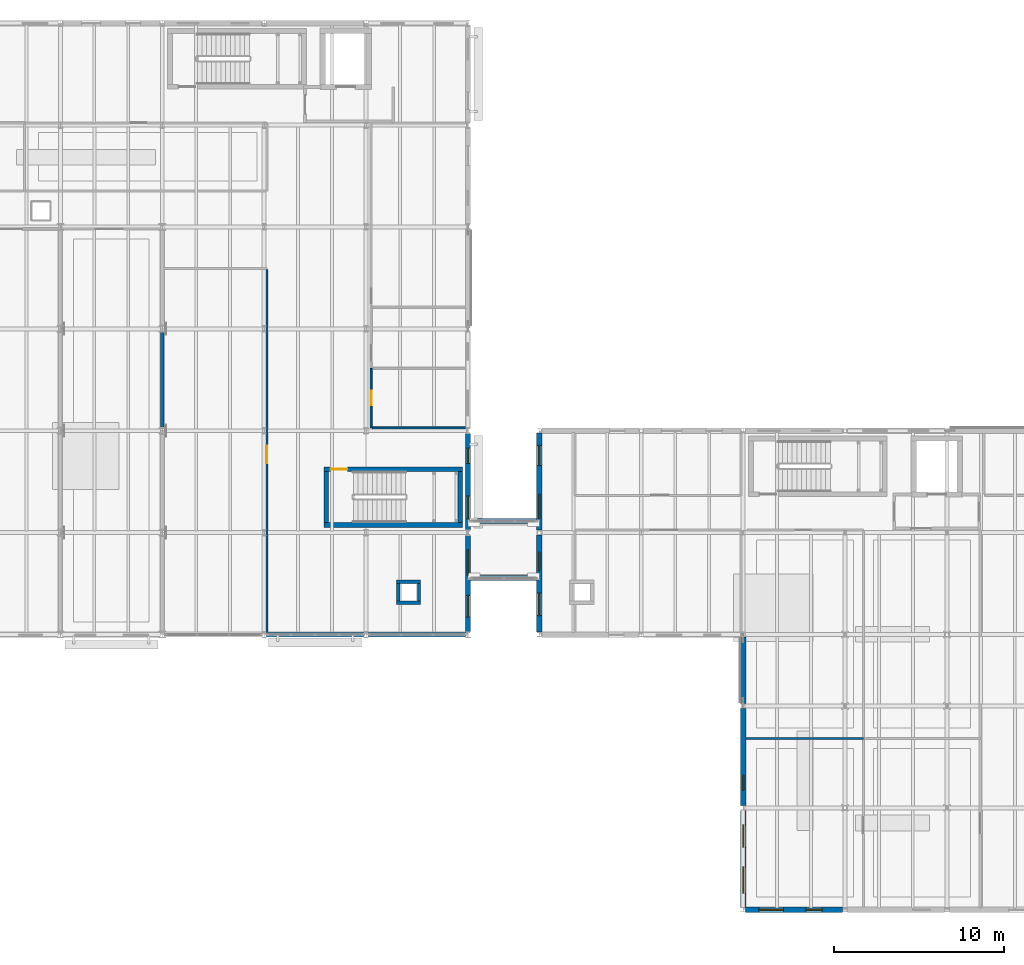
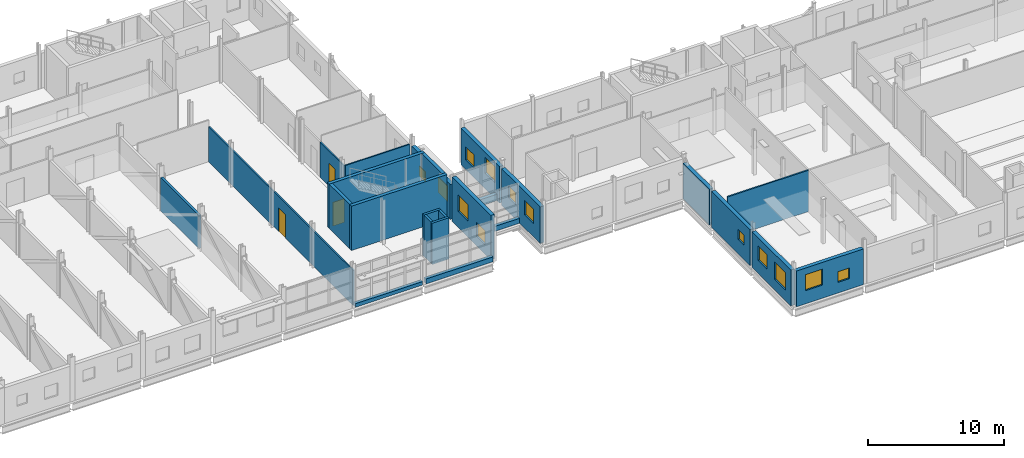
# One storey, part 68 of 92: 25 walls, 13 windows, 3 doors, 16 openings.
"""IFC4 building model written with IfcOpenShell, lengths in metres."""

from ifc_helpers import new_model, si_unit, direction, frame, frame_2d, origin, place, context, subcontext, project, spatial, rectangle, extrude, material, layer, layer_set, type_object, element, fill, save


model = new_model("IFC4")

# Units and contexts
model_context = context("Model", 3, precision=1e-05, world=origin(), true_north=direction((0.0, 1.0)))
body_context = subcontext(model_context, "Body", "Model", "MODEL_VIEW")
ifc_project = project(units=[si_unit("LENGTHUNIT", "METRE"), si_unit("AREAUNIT", "SQUARE_METRE"), si_unit("VOLUMEUNIT", "CUBIC_METRE"), si_unit("PLANEANGLEUNIT", "RADIAN"), si_unit("MASSUNIT", "GRAM", prefix="KILO")], contexts=[model_context])

# Site, building, storey
site_placement = place(None, origin())
site = spatial("IfcSite", under=ifc_project, at=site_placement, CompositionType="ELEMENT")
building_placement = place(site_placement, origin())
building = spatial("IfcBuilding", under=site, at=building_placement, Name="Siltcreek Boulevard Central Fire Station", CompositionType="ELEMENT")
storey_placement = place(building_placement, frame((0.0, 0.0, 6.0)))
storey = spatial("IfcBuildingStorey", under=building, at=storey_placement, Name="L02", CompositionType="ELEMENT", Elevation=6.0)

# Wall
ifc_material_1 = material(Name="Concrete C40/50", Category="concrete")
ifc_layer_1 = layer(ifc_material_1, 0.280029296875, Name="Concrete C40/50")
ifc_layer_set_1 = layer_set([ifc_layer_1], Name="Concrete C40/50")
wall_type_1 = type_object("IfcWallType", Name="CW_SHEAR280", PredefinedType="SHEAR", material=ifc_layer_set_1)
wall_1_placement = place(storey_placement, frame((99.52001953125, 24.4599609375, 0.0), z_axis=(0.0, 0.0, 1.0), x_axis=(1.0, 0.0, 0.0)))
element("IfcWall", 1, at=wall_1_placement, inside=storey, type_object=wall_type_1, Name="L02 ST-V2B stair enclosure south shear wall", PredefinedType="SHEAR", context=body_context, shape_type="SweptSolid", body=[
    extrude(rectangle(XDim=8.159912109375, YDim=0.280029296875, at=frame_2d((4.080078125, 0.0))), origin(), (0.0, 0.0, 1.0), 4.0),
])

# Wall, opening, door
wall_2_placement = place(storey_placement, frame((107.679931640625, 27.739990234375, 0.0), z_axis=(0.0, 0.0, 1.0), x_axis=(-1.0, 0.0, 0.0)))
wall_2 = element("IfcWall", 2, at=wall_2_placement, inside=storey, type_object=wall_type_1, Name="L02 ST-V2B stair enclosure north shear wall", PredefinedType="SHEAR", context=body_context, shape_type="SweptSolid", body=[
    extrude(rectangle(XDim=8.159912109375, YDim=0.280029296875, at=frame_2d((4.080078125, 0.0))), origin(), (0.0, 0.0, 1.0), 4.0),
])
opening_1_placement = place(wall_2_placement, frame((6.780029296875, 0.0, 0.0)))
opening_1 = element("IfcOpeningElement", 3, at=opening_1_placement, cuts=wall_2, Name="Opening SD-013", PredefinedType="OPENING", context=body_context, shape_type="SweptSolid", body=[
    extrude(rectangle(XDim=0.97998046875, YDim=2.14990234375, at=frame_2d((0.489990234375, 1.074951171875))), frame((0.0, 0.14990234375, 0.0), z_axis=(0.0, -1.0, 0.0), x_axis=(1.0, 0.0, 0.0)), (0.0, 0.0, 1.0), 0.300048828125),
])
ifc_material_2 = material(Name="Hollow metal 90-min enclosed stair door")
door_type_1 = type_object("IfcDoorType", Name="DR_ST_098X215", OperationType="NOTDEFINED", PredefinedType="DOOR", material=ifc_material_2)
door_1_placement = place(opening_1_placement, origin())
door_1 = element("IfcDoor", 4, at=door_1_placement, inside=storey, type_object=door_type_1, Name="L02 ST-V2B enclosed exit stair door SD-013", OperationType="SINGLE_SWING_RIGHT", OverallHeight=2.14990234375, OverallWidth=0.97998046875, PredefinedType="DOOR", context=body_context, shape_type="SweptSolid", body=[
    extrude(rectangle(XDim=0.97998046875, YDim=2.14990234375, at=frame_2d((0.489990234375, 1.074951171875))), frame((0.0, 0.02490234375, 0.0), z_axis=(0.0, -1.0, 0.0), x_axis=(1.0, 0.0, 0.0)), (0.0, 0.0, 1.0), 0.050048828125),
])
fill(opening_1, door_1)

# Walls
for number, where, z_axis, x_axis, name in (
    (5, (99.659912109375, 27.60009765625, 0.0), (0.0, 0.0, 1.0), (0.0, -1.0, 0.0), "L02 ST-V2B stair enclosure west shear wall"),
    (6, (107.5400390625, 24.60009765625, 0.0), (0.0, 0.0, 1.0), (0.0, 1.0, 0.0), "L02 ST-V2B stair enclosure east shear wall"),
):
    element("IfcWall", number, at=place(storey_placement, frame(where, z_axis=z_axis, x_axis=x_axis)), inside=storey, type_object=wall_type_1, Name=name, PredefinedType="SHEAR", context=body_context, shape_type="SweptSolid", body=[
        extrude(rectangle(XDim=3.0, YDim=0.280029296875, at=frame_2d((1.5, 0.0))), origin(), (0.0, 0.0, 1.0), 4.0),
    ])
ifc_material_3 = material(Name="White ribbed aluminum spandrel wall", Category="aluminium")
ifc_layer_2 = layer(ifc_material_3, 0.2900390625, Name="White ribbed aluminum spandrel wall")
ifc_layer_set_2 = layer_set([ifc_layer_2], Name="White ribbed aluminum spandrel wall")
wall_type_2 = type_object("IfcWallType", Name="EW_METAL290", PredefinedType="STANDARD", material=ifc_layer_set_2)
wall_3_placement = place(storey_placement, frame((96.14501953125, 18.0, 0.0), z_axis=(0.0, 0.0, 1.0), x_axis=(1.0, 0.0, 0.0)))
element("IfcWall", 7, at=wall_3_placement, inside=storey, type_object=wall_type_2, Name="L02 V2 curtain-wall sill spandrel 0066", PredefinedType="STANDARD", context=body_context, shape_type="SweptSolid", body=[
    extrude(rectangle(XDim=5.7099609375, YDim=0.2900390625, at=frame_2d((2.85498046875, 0.0))), origin(), (0.0, 0.0, 1.0), 0.320068359375),
])
wall_4_placement = place(storey_placement, frame((102.14501953125, 18.0, 0.0), z_axis=(0.0, 0.0, 1.0), x_axis=(1.0, 0.0, 0.0)))
element("IfcWall", 8, at=wall_4_placement, inside=storey, type_object=wall_type_2, Name="L02 V2 curtain-wall sill spandrel 0067", PredefinedType="STANDARD", context=body_context, shape_type="SweptSolid", body=[
    extrude(rectangle(XDim=5.7099609375, YDim=0.2900390625, at=frame_2d((2.85498046875, 0.0))), origin(), (0.0, 0.0, 1.0), 0.43994140625),
])
wall_5_placement = place(storey_placement, frame((108.159912109375, 21.320068359375, 0.0), z_axis=(0.0, 0.0, 1.0), x_axis=(1.0, 0.0, 0.0)))
element("IfcWall", 9, at=wall_5_placement, inside=storey, type_object=wall_type_2, Name="L02 V6 curtain-wall sill spandrel 0503", PredefinedType="STANDARD", context=body_context, shape_type="SweptSolid", body=[
    extrude(rectangle(XDim=3.880126953125, YDim=0.2900390625, at=frame_2d((1.93994140625, 0.0))), origin(), (0.0, 0.0, 1.0), 0.43994140625),
])
wall_6_placement = place(storey_placement, frame((112.0400390625, 24.679931640625, 0.0), z_axis=(0.0, 0.0, 1.0), x_axis=(-1.0, 0.0, 0.0)))
element("IfcWall", 10, at=wall_6_placement, inside=storey, type_object=wall_type_2, Name="L02 V6 curtain-wall sill spandrel 0504", PredefinedType="STANDARD", context=body_context, shape_type="SweptSolid", body=[
    extrude(rectangle(XDim=3.880126953125, YDim=0.2900390625, at=frame_2d((1.93994140625, 0.0))), origin(), (0.0, 0.0, 1.0), 0.56005859375),
])

# Wall, openings, windows
ifc_material_4 = material(Name="White ribbed aluminum insulated rainscreen panel", Category="aluminium")
ifc_layer_3 = layer(ifc_material_4, 0.320068359375, Name="White ribbed aluminum insulated rainscreen panel")
ifc_layer_set_3 = layer_set([ifc_layer_3], Name="White ribbed aluminum insulated rainscreen panel")
wall_type_3 = type_object("IfcWallType", Name="EW_METAL320", PredefinedType="STANDARD", material=ifc_layer_set_3)
wall_7_placement = place(storey_placement, frame((108.0, 18.14501953125, 0.0), z_axis=(0.0, 0.0, 1.0), x_axis=(0.0, 1.0, 0.0)))
wall_7 = element("IfcWall", 11, at=wall_7_placement, inside=storey, type_object=wall_type_3, Name="L02 V2 exterior insulated rainscreen wall WL-EXT-L02-0075", PredefinedType="STANDARD", context=body_context, shape_type="SweptSolid", body=[
    extrude(rectangle(XDim=5.7099609375, YDim=0.320068359375, at=frame_2d((2.85498046875, 0.0))), origin(), (0.0, 0.0, 1.0), 4.0),
])
opening_2_placement = place(wall_7_placement, frame((0.897216796875, 0.0, 0.860107421875)))
opening_2 = element("IfcOpeningElement", 12, at=opening_2_placement, cuts=wall_7, Name="Opening WN40", PredefinedType="OPENING", context=body_context, shape_type="SweptSolid", body=[
    extrude(rectangle(XDim=1.260009765625, YDim=1.260009765625, at=frame_2d((0.6298828125, 0.6298828125))), frame((0.0, 0.169921875, 0.0), z_axis=(0.0, -1.0, 0.0), x_axis=(1.0, 0.0, 0.0)), (0.0, 0.0, 1.0), 0.340087890625),
])
opening_3_placement = place(wall_7_placement, frame((3.357421875, 0.0, 1.419921875)))
opening_3 = element("IfcOpeningElement", 13, at=opening_3_placement, cuts=wall_7, Name="Opening WN42", PredefinedType="OPENING", context=body_context, shape_type="SweptSolid", body=[
    extrude(rectangle(XDim=1.5, YDim=1.5, at=frame_2d((0.75, 0.75))), frame((0.0, 0.169921875, 0.0), z_axis=(0.0, -1.0, 0.0), x_axis=(1.0, 0.0, 0.0)), (0.0, 0.0, 1.0), 0.340087890625),
])
ifc_material_5 = material(Name="Thermally broken aluminum frame with low-E insulated glass", Category="aluminium")
window_type_1 = type_object("IfcWindowType", Name="WN_SQ_126X126", PartitioningType="SINGLE_PANEL", PredefinedType="WINDOW", material=ifc_material_5)
window_1_placement = place(opening_2_placement, origin())
window_1 = element("IfcWindow", 14, at=window_1_placement, inside=storey, type_object=window_type_1, Name="L02 V2 square exterior window WN-0051", OverallHeight=1.260009765625, OverallWidth=1.260009765625, PartitioningType="SINGLE_PANEL", PredefinedType="WINDOW", context=body_context, shape_type="SweptSolid", body=[
    extrude(rectangle(XDim=1.260009765625, YDim=1.260009765625, at=frame_2d((0.6298828125, 0.6298828125))), frame((0.0, 0.030029296875, 0.0), z_axis=(0.0, -1.0, 0.0), x_axis=(1.0, 0.0, 0.0)), (0.0, 0.0, 1.0), 0.06005859375),
])
fill(opening_2, window_1)
window_type_2 = type_object("IfcWindowType", Name="WN_SQ_150X150", PartitioningType="SINGLE_PANEL", PredefinedType="WINDOW", material=ifc_material_5)
window_2_placement = place(opening_3_placement, origin())
window_2 = element("IfcWindow", 15, at=window_2_placement, inside=storey, type_object=window_type_2, Name="L02 V2 square exterior window WN-0052", OverallHeight=1.5, OverallWidth=1.5, PartitioningType="SINGLE_PANEL", PredefinedType="WINDOW", context=body_context, shape_type="SweptSolid", body=[
    extrude(rectangle(XDim=1.5, YDim=1.5, at=frame_2d((0.75, 0.75))), frame((0.0, 0.030029296875, 0.0), z_axis=(0.0, -1.0, 0.0), x_axis=(1.0, 0.0, 0.0)), (0.0, 0.0, 1.0), 0.06005859375),
])
fill(opening_3, window_2)

wall_8_placement = place(storey_placement, frame((108.0, 24.14501953125, 0.0), z_axis=(0.0, 0.0, 1.0), x_axis=(0.0, 1.0, 0.0)))
wall_8 = element("IfcWall", 16, at=wall_8_placement, inside=storey, type_object=wall_type_3, Name="L02 V2 exterior insulated rainscreen wall WL-EXT-L02-0076", PredefinedType="STANDARD", context=body_context, shape_type="SweptSolid", body=[
    extrude(rectangle(XDim=5.7099609375, YDim=0.320068359375, at=frame_2d((2.85498046875, 0.0))), origin(), (0.0, 0.0, 1.0), 3.156982421875),
])
opening_4_placement = place(wall_8_placement, frame((0.64892578125, 0.0, 1.179931640625)))
opening_4 = element("IfcOpeningElement", 17, at=opening_4_placement, cuts=wall_8, Name="Opening WN41", PredefinedType="OPENING", context=body_context, shape_type="SweptSolid", body=[
    extrude(rectangle(XDim=1.3798828125, YDim=1.3798828125, at=frame_2d((0.68994140625, 0.68994140625))), frame((0.0, 0.169921875, 0.0), z_axis=(0.0, -1.0, 0.0), x_axis=(1.0, 0.0, 0.0)), (0.0, 0.0, 1.0), 0.340087890625),
])
opening_5_placement = place(wall_8_placement, frame((3.93310546875, 0.0, 0.9599609375)))
opening_5 = element("IfcOpeningElement", 18, at=opening_5_placement, cuts=wall_8, Name="Opening WN37", PredefinedType="OPENING", context=body_context, shape_type="SweptSolid", body=[
    extrude(rectangle(XDim=0.89990234375, YDim=0.89990234375, at=frame_2d((0.449951171875, 0.449951171875))), frame((0.0, 0.169921875, 0.0), z_axis=(0.0, -1.0, 0.0), x_axis=(1.0, 0.0, 0.0)), (0.0, 0.0, 1.0), 0.340087890625),
])
window_type_3 = type_object("IfcWindowType", Name="WN_SQ_090X090", PartitioningType="SINGLE_PANEL", PredefinedType="WINDOW", material=ifc_material_5)
window_3_placement = place(opening_5_placement, origin())
window_3 = element("IfcWindow", 19, at=window_3_placement, inside=storey, type_object=window_type_3, Name="L02 V2 square exterior window WN-0054", OverallHeight=0.89990234375, OverallWidth=0.89990234375, PartitioningType="SINGLE_PANEL", PredefinedType="WINDOW", context=body_context, shape_type="SweptSolid", body=[
    extrude(rectangle(XDim=0.89990234375, YDim=0.89990234375, at=frame_2d((0.449951171875, 0.449951171875))), frame((0.0, 0.030029296875, 0.0), z_axis=(0.0, -1.0, 0.0), x_axis=(1.0, 0.0, 0.0)), (0.0, 0.0, 1.0), 0.06005859375),
])
fill(opening_5, window_3)
window_type_4 = type_object("IfcWindowType", Name="WN_SQ_138X138", PartitioningType="SINGLE_PANEL", PredefinedType="WINDOW", material=ifc_material_5)
window_4_placement = place(opening_4_placement, origin())
window_4 = element("IfcWindow", 20, at=window_4_placement, inside=storey, type_object=window_type_4, Name="L02 V2 square exterior window WN-0053", OverallHeight=1.3798828125, OverallWidth=1.3798828125, PartitioningType="SINGLE_PANEL", PredefinedType="WINDOW", context=body_context, shape_type="SweptSolid", body=[
    extrude(rectangle(XDim=1.3798828125, YDim=1.3798828125, at=frame_2d((0.68994140625, 0.68994140625))), frame((0.0, 0.030029296875, 0.0), z_axis=(0.0, -1.0, 0.0), x_axis=(1.0, 0.0, 0.0)), (0.0, 0.0, 1.0), 0.06005859375),
])
fill(opening_4, window_4)

wall_9_placement = place(storey_placement, frame((124.344970703125, 1.800048828125, 0.0), z_axis=(0.0, 0.0, 1.0), x_axis=(1.0, 0.0, 0.0)))
wall_9 = element("IfcWall", 21, at=wall_9_placement, inside=storey, type_object=wall_type_3, Name="L02 V6 exterior insulated rainscreen wall WL-EXT-L02-0457", PredefinedType="STANDARD", context=body_context, shape_type="SweptSolid", body=[
    extrude(rectangle(XDim=5.7099609375, YDim=0.320068359375, at=frame_2d((2.85498046875, 0.0))), origin(), (0.0, 0.0, 1.0), 3.222900390625),
])
opening_6_placement = place(wall_9_placement, frame((0.7802734375, 0.0, 1.179931640625)))
opening_6 = element("IfcOpeningElement", 22, at=opening_6_placement, cuts=wall_9, Name="Opening WN03", PredefinedType="OPENING", context=body_context, shape_type="SweptSolid", body=[
    extrude(rectangle(XDim=1.43994140625, YDim=1.43994140625, at=frame_2d((0.719970703125, 0.719970703125))), frame((0.0, 0.169921875, 0.0), z_axis=(0.0, -1.0, 0.0), x_axis=(1.0, 0.0, 0.0)), (0.0, 0.0, 1.0), 0.340087890625),
])
opening_7_placement = place(wall_9_placement, frame((3.54638671875, 0.0, 0.9599609375)))
opening_7 = element("IfcOpeningElement", 23, at=opening_7_placement, cuts=wall_9, Name="Opening WN06", PredefinedType="OPENING", context=body_context, shape_type="SweptSolid", body=[
    extrude(rectangle(XDim=0.9599609375, YDim=0.9599609375, at=frame_2d((0.47998046875, 0.47998046875))), frame((0.0, 0.169921875, 0.0), z_axis=(0.0, -1.0, 0.0), x_axis=(1.0, 0.0, 0.0)), (0.0, 0.0, 1.0), 0.340087890625),
])
window_type_5 = type_object("IfcWindowType", Name="WN_SQ_096X096", PartitioningType="SINGLE_PANEL", PredefinedType="WINDOW", material=ifc_material_5)
window_5_placement = place(opening_7_placement, origin())
window_5 = element("IfcWindow", 24, at=window_5_placement, inside=storey, type_object=window_type_5, Name="L02 V6 square exterior window WN-0177", OverallHeight=0.9599609375, OverallWidth=0.9599609375, PartitioningType="SINGLE_PANEL", PredefinedType="WINDOW", context=body_context, shape_type="SweptSolid", body=[
    extrude(rectangle(XDim=0.9599609375, YDim=0.9599609375, at=frame_2d((0.47998046875, 0.47998046875))), frame((0.0, 0.030029296875, 0.0), z_axis=(0.0, -1.0, 0.0), x_axis=(1.0, 0.0, 0.0)), (0.0, 0.0, 1.0), 0.06005859375),
])
fill(opening_7, window_5)
window_type_6 = type_object("IfcWindowType", Name="WN_SQ_144X144", PartitioningType="SINGLE_PANEL", PredefinedType="WINDOW", material=ifc_material_5)
window_6_placement = place(opening_6_placement, origin())
window_6 = element("IfcWindow", 25, at=window_6_placement, inside=storey, type_object=window_type_6, Name="L02 V6 square exterior window WN-0176", OverallHeight=1.43994140625, OverallWidth=1.43994140625, PartitioningType="SINGLE_PANEL", PredefinedType="WINDOW", context=body_context, shape_type="SweptSolid", body=[
    extrude(rectangle(XDim=1.43994140625, YDim=1.43994140625, at=frame_2d((0.719970703125, 0.719970703125))), frame((0.0, 0.030029296875, 0.0), z_axis=(0.0, -1.0, 0.0), x_axis=(1.0, 0.0, 0.0)), (0.0, 0.0, 1.0), 0.06005859375),
])
fill(opening_6, window_6)

wall_10_placement = place(storey_placement, frame((112.199951171875, 23.85498046875, 0.0), z_axis=(0.0, 0.0, 1.0), x_axis=(0.0, -1.0, 0.0)))
wall_10 = element("IfcWall", 26, at=wall_10_placement, inside=storey, type_object=wall_type_3, Name="L02 V6 exterior insulated rainscreen wall WL-EXT-L02-0475", PredefinedType="STANDARD", context=body_context, shape_type="SweptSolid", body=[
    extrude(rectangle(XDim=5.7099609375, YDim=0.320068359375, at=frame_2d((2.85498046875, 0.0))), origin(), (0.0, 0.0, 1.0), 3.299560546875),
])
opening_8_placement = place(wall_10_placement, frame((1.014404296875, 0.0, 1.280029296875)))
opening_8 = element("IfcOpeningElement", 27, at=opening_8_placement, cuts=wall_10, Name="Opening WN05", PredefinedType="OPENING", context=body_context, shape_type="SweptSolid", body=[
    extrude(rectangle(XDim=1.080078125, YDim=1.080078125, at=frame_2d((0.5400390625, 0.5400390625))), frame((0.0, 0.169921875, 0.0), z_axis=(0.0, -1.0, 0.0), x_axis=(1.0, 0.0, 0.0)), (0.0, 0.0, 1.0), 0.340087890625),
])
opening_9_placement = place(wall_10_placement, frame((3.42041015625, 0.0, 1.179931640625)))
opening_9 = element("IfcOpeningElement", 28, at=opening_9_placement, cuts=wall_10, Name="Opening WN02", PredefinedType="OPENING", context=body_context, shape_type="SweptSolid", body=[
    extrude(rectangle(XDim=1.320068359375, YDim=1.320068359375, at=frame_2d((0.66015625, 0.66015625))), frame((0.0, 0.169921875, 0.0), z_axis=(0.0, -1.0, 0.0), x_axis=(1.0, 0.0, 0.0)), (0.0, 0.0, 1.0), 0.340087890625),
])
window_type_7 = type_object("IfcWindowType", Name="WN_SQ_108X108", PartitioningType="SINGLE_PANEL", PredefinedType="WINDOW", material=ifc_material_5)
window_7_placement = place(opening_8_placement, origin())
window_7 = element("IfcWindow", 29, at=window_7_placement, inside=storey, type_object=window_type_7, Name="L02 V6 square exterior window WN-0206", OverallHeight=1.080078125, OverallWidth=1.080078125, PartitioningType="SINGLE_PANEL", PredefinedType="WINDOW", context=body_context, shape_type="SweptSolid", body=[
    extrude(rectangle(XDim=1.080078125, YDim=1.080078125, at=frame_2d((0.5400390625, 0.5400390625))), frame((0.0, 0.030029296875, 0.0), z_axis=(0.0, -1.0, 0.0), x_axis=(1.0, 0.0, 0.0)), (0.0, 0.0, 1.0), 0.06005859375),
])
fill(opening_8, window_7)
window_type_8 = type_object("IfcWindowType", Name="WN_SQ_132X132", PartitioningType="SINGLE_PANEL", PredefinedType="WINDOW", material=ifc_material_5)
window_8_placement = place(opening_9_placement, origin())
window_8 = element("IfcWindow", 30, at=window_8_placement, inside=storey, type_object=window_type_8, Name="L02 V6 square exterior window WN-0207", OverallHeight=1.320068359375, OverallWidth=1.320068359375, PartitioningType="SINGLE_PANEL", PredefinedType="WINDOW", context=body_context, shape_type="SweptSolid", body=[
    extrude(rectangle(XDim=1.320068359375, YDim=1.320068359375, at=frame_2d((0.66015625, 0.66015625))), frame((0.0, 0.030029296875, 0.0), z_axis=(0.0, -1.0, 0.0), x_axis=(1.0, 0.0, 0.0)), (0.0, 0.0, 1.0), 0.06005859375),
])
fill(opening_9, window_8)

wall_11_placement = place(storey_placement, frame((112.199951171875, 29.85498046875, 0.0), z_axis=(0.0, 0.0, 1.0), x_axis=(0.0, -1.0, 0.0)))
wall_11 = element("IfcWall", 31, at=wall_11_placement, inside=storey, type_object=wall_type_3, Name="L02 V6 exterior insulated rainscreen wall WL-EXT-L02-0476", PredefinedType="STANDARD", context=body_context, shape_type="SweptSolid", body=[
    extrude(rectangle(XDim=5.7099609375, YDim=0.320068359375, at=frame_2d((2.85498046875, 0.0))), origin(), (0.0, 0.0, 1.0), 3.299560546875),
])
opening_10_placement = place(wall_11_placement, frame((0.7119140625, 0.0, 0.860107421875)))
opening_10 = element("IfcOpeningElement", 32, at=opening_10_placement, cuts=wall_11, Name="Opening WN01", PredefinedType="OPENING", context=body_context, shape_type="SweptSolid", body=[
    extrude(rectangle(XDim=1.199951171875, YDim=1.199951171875, at=frame_2d((0.60009765625, 0.60009765625))), frame((0.0, 0.169921875, 0.0), z_axis=(0.0, -1.0, 0.0), x_axis=(1.0, 0.0, 0.0)), (0.0, 0.0, 1.0), 0.340087890625),
])
opening_11_placement = place(wall_11_placement, frame((3.582275390625, 0.0, 1.419921875)))
opening_11 = element("IfcOpeningElement", 33, at=opening_11_placement, cuts=wall_11, Name="Opening WN03", PredefinedType="OPENING", context=body_context, shape_type="SweptSolid", body=[
    extrude(rectangle(XDim=1.43994140625, YDim=1.43994140625, at=frame_2d((0.719970703125, 0.719970703125))), frame((0.0, 0.169921875, 0.0), z_axis=(0.0, -1.0, 0.0), x_axis=(1.0, 0.0, 0.0)), (0.0, 0.0, 1.0), 0.340087890625),
])
window_type_9 = type_object("IfcWindowType", Name="WN_SQ_120X120", PartitioningType="SINGLE_PANEL", PredefinedType="WINDOW", material=ifc_material_5)
window_9_placement = place(opening_10_placement, origin())
window_9 = element("IfcWindow", 34, at=window_9_placement, inside=storey, type_object=window_type_9, Name="L02 V6 square exterior window WN-0208", OverallHeight=1.199951171875, OverallWidth=1.199951171875, PartitioningType="SINGLE_PANEL", PredefinedType="WINDOW", context=body_context, shape_type="SweptSolid", body=[
    extrude(rectangle(XDim=1.199951171875, YDim=1.199951171875, at=frame_2d((0.60009765625, 0.60009765625))), frame((0.0, 0.030029296875, 0.0), z_axis=(0.0, -1.0, 0.0), x_axis=(1.0, 0.0, 0.0)), (0.0, 0.0, 1.0), 0.06005859375),
])
fill(opening_10, window_9)
window_10_placement = place(opening_11_placement, origin())
window_10 = element("IfcWindow", 35, at=window_10_placement, inside=storey, type_object=window_type_6, Name="L02 V6 square exterior window WN-0209", OverallHeight=1.43994140625, OverallWidth=1.43994140625, PartitioningType="SINGLE_PANEL", PredefinedType="WINDOW", context=body_context, shape_type="SweptSolid", body=[
    extrude(rectangle(XDim=1.43994140625, YDim=1.43994140625, at=frame_2d((0.719970703125, 0.719970703125))), frame((0.0, 0.030029296875, 0.0), z_axis=(0.0, -1.0, 0.0), x_axis=(1.0, 0.0, 0.0)), (0.0, 0.0, 1.0), 0.06005859375),
])
fill(opening_11, window_10)

wall_12_placement = place(storey_placement, frame((124.199951171875, 7.655029296875, 0.0), z_axis=(0.0, 0.0, 1.0), x_axis=(0.0, -1.0, 0.0)))
wall_12 = element("IfcWall", 36, at=wall_12_placement, inside=storey, type_object=wall_type_3, Name="L02 V6 exterior insulated rainscreen wall WL-EXT-L02-0477", PredefinedType="STANDARD", context=body_context, shape_type="SweptSolid", body=[
    extrude(rectangle(XDim=5.7099609375, YDim=0.320068359375, at=frame_2d((2.85498046875, 0.0))), origin(), (0.0, 0.0, 1.0), 3.22705078125),
])
opening_12_placement = place(wall_12_placement, frame((0.8583984375, 0.0, 1.179931640625)))
opening_12 = element("IfcOpeningElement", 37, at=opening_12_placement, cuts=wall_12, Name="Opening WN02", PredefinedType="OPENING", context=body_context, shape_type="SweptSolid", body=[
    extrude(rectangle(XDim=1.320068359375, YDim=1.320068359375, at=frame_2d((0.66015625, 0.66015625))), frame((0.0, 0.169921875, 0.0), z_axis=(0.0, -1.0, 0.0), x_axis=(1.0, 0.0, 0.0)), (0.0, 0.0, 1.0), 0.340087890625),
])
opening_13_placement = place(wall_12_placement, frame((3.336181640625, 0.0, 0.9599609375)))
opening_13 = element("IfcOpeningElement", 38, at=opening_13_placement, cuts=wall_12, Name="Opening WN04", PredefinedType="OPENING", context=body_context, shape_type="SweptSolid", body=[
    extrude(rectangle(XDim=1.56005859375, YDim=1.56005859375, at=frame_2d((0.780029296875, 0.780029296875))), frame((0.0, 0.169921875, 0.0), z_axis=(0.0, -1.0, 0.0), x_axis=(1.0, 0.0, 0.0)), (0.0, 0.0, 1.0), 0.340087890625),
])
window_11_placement = place(opening_12_placement, origin())
window_11 = element("IfcWindow", 39, at=window_11_placement, inside=storey, type_object=window_type_8, Name="L02 V6 square exterior window WN-0210", OverallHeight=1.320068359375, OverallWidth=1.320068359375, PartitioningType="SINGLE_PANEL", PredefinedType="WINDOW", context=body_context, shape_type="SweptSolid", body=[
    extrude(rectangle(XDim=1.320068359375, YDim=1.320068359375, at=frame_2d((0.66015625, 0.66015625))), frame((0.0, 0.030029296875, 0.0), z_axis=(0.0, -1.0, 0.0), x_axis=(1.0, 0.0, 0.0)), (0.0, 0.0, 1.0), 0.06005859375),
])
fill(opening_12, window_11)
window_type_10 = type_object("IfcWindowType", Name="WN_SQ_156X156", PartitioningType="SINGLE_PANEL", PredefinedType="WINDOW", material=ifc_material_5)
window_12_placement = place(opening_13_placement, origin())
window_12 = element("IfcWindow", 40, at=window_12_placement, inside=storey, type_object=window_type_10, Name="L02 V6 square exterior window WN-0211", OverallHeight=1.56005859375, OverallWidth=1.56005859375, PartitioningType="SINGLE_PANEL", PredefinedType="WINDOW", context=body_context, shape_type="SweptSolid", body=[
    extrude(rectangle(XDim=1.56005859375, YDim=1.56005859375, at=frame_2d((0.780029296875, 0.780029296875))), frame((0.0, 0.030029296875, 0.0), z_axis=(0.0, -1.0, 0.0), x_axis=(1.0, 0.0, 0.0)), (0.0, 0.0, 1.0), 0.06005859375),
])
fill(opening_13, window_12)

# Wall, opening, window
wall_13_placement = place(storey_placement, frame((124.199951171875, 13.655029296875, 0.0), z_axis=(0.0, 0.0, 1.0), x_axis=(0.0, -1.0, 0.0)))
wall_13 = element("IfcWall", 41, at=wall_13_placement, inside=storey, type_object=wall_type_3, Name="L02 V6 exterior insulated rainscreen wall WL-EXT-L02-0478", PredefinedType="STANDARD", context=body_context, shape_type="SweptSolid", body=[
    extrude(rectangle(XDim=5.7099609375, YDim=0.320068359375, at=frame_2d((2.85498046875, 0.0))), origin(), (0.0, 0.0, 1.0), 3.22705078125),
])
opening_14_placement = place(wall_13_placement, frame((3.93310546875, 0.0, 1.280029296875)))
opening_14 = element("IfcOpeningElement", 42, at=opening_14_placement, cuts=wall_13, Name="Opening WN37", PredefinedType="OPENING", context=body_context, shape_type="SweptSolid", body=[
    extrude(rectangle(XDim=0.89990234375, YDim=0.89990234375, at=frame_2d((0.449951171875, 0.449951171875))), frame((0.0, 0.169921875, 0.0), z_axis=(0.0, -1.0, 0.0), x_axis=(1.0, 0.0, 0.0)), (0.0, 0.0, 1.0), 0.340087890625),
])
window_13_placement = place(opening_14_placement, origin())
window_13 = element("IfcWindow", 43, at=window_13_placement, inside=storey, type_object=window_type_3, Name="L02 V6 square exterior window WN-0212", OverallHeight=0.89990234375, OverallWidth=0.89990234375, PartitioningType="SINGLE_PANEL", PredefinedType="WINDOW", context=body_context, shape_type="SweptSolid", body=[
    extrude(rectangle(XDim=0.89990234375, YDim=0.89990234375, at=frame_2d((0.449951171875, 0.449951171875))), frame((0.0, 0.030029296875, 0.0), z_axis=(0.0, -1.0, 0.0), x_axis=(1.0, 0.0, 0.0)), (0.0, 0.0, 1.0), 0.06005859375),
])
fill(opening_14, window_13)

# Walls
wall_14_placement = place(storey_placement, frame((124.199951171875, 17.85498046875, 0.0), z_axis=(0.0, 0.0, 1.0), x_axis=(0.0, -1.0, 0.0)))
element("IfcWall", 44, at=wall_14_placement, inside=storey, type_object=wall_type_3, Name="L02 V6 exterior insulated rainscreen wall WL-EXT-L02-0479", PredefinedType="STANDARD", context=body_context, shape_type="SweptSolid", body=[
    extrude(rectangle(XDim=3.909912109375, YDim=0.320068359375, at=frame_2d((1.955078125, 0.0))), origin(), (0.0, 0.0, 1.0), 3.22705078125),
])
ifc_material_6 = material(Name="Fire-rated concrete masonry and gypsum barrier", Category="masonry")
ifc_layer_4 = layer(ifc_material_6, 0.199951171875, Name="Fire-rated concrete masonry and gypsum barrier")
ifc_layer_set_4 = layer_set([ifc_layer_4], Name="Fire-rated concrete masonry and gypsum barrier")
wall_type_4 = type_object("IfcWallType", Name="IW_FIRE200", PredefinedType="PARTITIONING", material=ifc_layer_set_4)
wall_15_placement = place(storey_placement, frame((103.784912109375, 19.885009765625, 0.0), z_axis=(0.0, 0.0, 1.0), x_axis=(1.0, 0.0, 0.0)))
element("IfcWall", 45, at=wall_15_placement, inside=storey, type_object=wall_type_4, Name="L02 enclosed MEP service riser wall 018-S", PredefinedType="PARTITIONING", context=body_context, shape_type="SweptSolid", body=[
    extrude(rectangle(XDim=1.43017578125, YDim=0.199951171875, at=frame_2d((0.715087890625, 0.0))), origin(), (0.0, 0.0, 1.0), 3.719970703125),
])
wall_16_placement = place(storey_placement, frame((105.114990234375, 19.985107421875, 0.0), z_axis=(0.0, 0.0, 1.0), x_axis=(0.0, 1.0, 0.0)))
element("IfcWall", 46, at=wall_16_placement, inside=storey, type_object=wall_type_4, Name="L02 enclosed MEP service riser wall 018-E", PredefinedType="PARTITIONING", context=body_context, shape_type="SweptSolid", body=[
    extrude(rectangle(XDim=1.02978515625, YDim=0.199951171875, at=frame_2d((0.514892578125, 0.0))), origin(), (0.0, 0.0, 1.0), 3.719970703125),
])
wall_17_placement = place(storey_placement, frame((105.215087890625, 21.114990234375, 0.0), z_axis=(0.0, 0.0, 1.0), x_axis=(-1.0, 0.0, 0.0)))
element("IfcWall", 47, at=wall_17_placement, inside=storey, type_object=wall_type_4, Name="L02 enclosed MEP service riser wall 018-N", PredefinedType="PARTITIONING", context=body_context, shape_type="SweptSolid", body=[
    extrude(rectangle(XDim=1.43017578125, YDim=0.199951171875, at=frame_2d((0.715087890625, 0.0))), origin(), (0.0, 0.0, 1.0), 3.719970703125),
])
wall_18_placement = place(storey_placement, frame((103.885009765625, 21.014892578125, 0.0), z_axis=(0.0, 0.0, 1.0), x_axis=(0.0, -1.0, 0.0)))
element("IfcWall", 48, at=wall_18_placement, inside=storey, type_object=wall_type_4, Name="L02 enclosed MEP service riser wall 018-W", PredefinedType="PARTITIONING", context=body_context, shape_type="SweptSolid", body=[
    extrude(rectangle(XDim=1.02978515625, YDim=0.199951171875, at=frame_2d((0.514892578125, 0.0))), origin(), (0.0, 0.0, 1.0), 3.719970703125),
])
wall_19_placement = place(storey_placement, frame((90.0, 30.179931640625, 0.0), z_axis=(0.0, 0.0, 1.0), x_axis=(0.0, 1.0, 0.0)))
element("IfcWall", 49, at=wall_19_placement, inside=storey, type_object=wall_type_4, Name="L02 transfer-truss fire-rated enclosure wall X90-3", PredefinedType="PARTITIONING", context=body_context, shape_type="SweptSolid", body=[
    extrude(rectangle(XDim=5.64013671875, YDim=0.199951171875, at=frame_2d((2.820068359375, 0.0))), origin(), (0.0, 0.0, 1.0), 2.97998046875),
])

# Wall, opening, door
ifc_material_7 = material(Name="Interior steel stud gypsum partition", Category="steel")
ifc_layer_5 = layer(ifc_material_7, 0.125, Name="Interior steel stud gypsum partition")
ifc_layer_set_5 = layer_set([ifc_layer_5], Name="Interior steel stud gypsum partition")
wall_type_5 = type_object("IfcWallType", Name="IW_PART125", PredefinedType="PARTITIONING", material=ifc_layer_set_5)
wall_20_placement = place(storey_placement, frame((96.159912109375, 39.49755859375, 0.0), z_axis=(0.0, 0.0, 1.0), x_axis=(0.0, -1.0, 0.0)))
wall_20 = element("IfcWall", 50, at=wall_20_placement, inside=storey, type_object=wall_type_5, Name="L02 Crew Dayroom and Beanery Mess partition 0140", PredefinedType="PARTITIONING", context=body_context, shape_type="SweptSolid", body=[
    extrude(rectangle(XDim=21.3525390625, YDim=0.125, at=frame_2d((10.67626953125, 0.0))), origin(), (0.0, 0.0, 1.0), 3.156982421875),
])
opening_15_placement = place(wall_20_placement, frame((10.383544921875, 0.0, 0.0)))
opening_15 = element("IfcOpeningElement", 51, at=opening_15_placement, cuts=wall_20, Name="Opening ID01", PredefinedType="OPENING", context=body_context, shape_type="SweptSolid", body=[
    extrude(rectangle(XDim=1.030029296875, YDim=2.14990234375, at=frame_2d((0.51513671875, 1.074951171875))), frame((0.0, 0.072509765625, 0.0), z_axis=(0.0, -1.0, 0.0), x_axis=(1.0, 0.0, 0.0)), (0.0, 0.0, 1.0), 0.14501953125),
])
ifc_material_8 = material(Name="Solid-core timber acoustic classroom door", Category="wood")
door_type_2 = type_object("IfcDoorType", Name="DR_CLS_103X215", OperationType="NOTDEFINED", PredefinedType="DOOR", material=ifc_material_8)
door_2_placement = place(opening_15_placement, origin())
door_2 = element("IfcDoor", 52, at=door_2_placement, inside=storey, type_object=door_type_2, Name="L02 Crew Dayroom and Beanery Mess door ID-0065", OperationType="SINGLE_SWING_RIGHT", OverallHeight=2.14990234375, OverallWidth=1.030029296875, PredefinedType="DOOR", context=body_context, shape_type="SweptSolid", body=[
    extrude(rectangle(XDim=1.030029296875, YDim=2.14990234375, at=frame_2d((0.51513671875, 1.074951171875))), frame((0.0, 0.02490234375, 0.0), z_axis=(0.0, -1.0, 0.0), x_axis=(1.0, 0.0, 0.0)), (0.0, 0.0, 1.0), 0.050048828125),
])
fill(opening_15, door_2)

# Wall
wall_21_placement = place(storey_placement, frame((124.360107421875, 11.8798828125, 0.0), z_axis=(0.0, 0.0, 1.0), x_axis=(1.0, 0.0, 0.0)))
element("IfcWall", 53, at=wall_21_placement, inside=storey, type_object=wall_type_5, Name="L02 Training Classroom 201 partition 0188", PredefinedType="PARTITIONING", context=body_context, shape_type="SweptSolid", body=[
    extrude(rectangle(XDim=6.92236328125, YDim=0.125, at=frame_2d((3.461181640625, 0.0))), origin(), (0.0, 0.0, 1.0), 3.719970703125),
])

# Wall, opening, door
ifc_material_9 = material(Name="Moisture-resistant tile backer toilet partition", Category="gypsum")
ifc_layer_6 = layer(ifc_material_9, 0.110107421875, Name="Moisture-resistant tile backer toilet partition")
ifc_layer_set_6 = layer_set([ifc_layer_6], Name="Moisture-resistant tile backer toilet partition")
wall_type_6 = type_object("IfcWallType", Name="IW_WET110", PredefinedType="PARTITIONING", material=ifc_layer_set_6)
wall_22_placement = place(storey_placement, frame((102.300048828125, 30.175048828125, 0.0), z_axis=(0.0, 0.0, 1.0), x_axis=(0.0, 1.0, 0.0)))
wall_22 = element("IfcWall", 54, at=wall_22_placement, inside=storey, type_object=wall_type_6, Name="L02 Crew Staff Toilet L02 partition 0147", PredefinedType="PARTITIONING", context=body_context, shape_type="SweptSolid", body=[
    extrude(rectangle(XDim=3.5, YDim=0.110107421875, at=frame_2d((1.75, 0.0))), origin(), (0.0, 0.0, 1.0), 3.156982421875),
])
opening_16_placement = place(wall_22_placement, frame((1.31494140625, 0.0, 0.0)))
opening_16 = element("IfcOpeningElement", 55, at=opening_16_placement, cuts=wall_22, Name="Opening ID09", PredefinedType="OPENING", context=body_context, shape_type="SweptSolid", body=[
    extrude(rectangle(XDim=0.8701171875, YDim=2.06005859375, at=frame_2d((0.43505859375, 1.030029296875))), frame((0.0, 0.06494140625, 0.0), z_axis=(0.0, -1.0, 0.0), x_axis=(1.0, 0.0, 0.0)), (0.0, 0.0, 1.0), 0.130126953125),
])
ifc_material_10 = material(Name="Moisture-resistant staff toilet door")
door_type_3 = type_object("IfcDoorType", Name="DR_WC_087X206", OperationType="NOTDEFINED", PredefinedType="DOOR", material=ifc_material_10)
door_3_placement = place(opening_16_placement, frame((0.8701171875, 0.0, 0.0), z_axis=(0.0, 0.0, 1.0), x_axis=(-1.0, 0.0, 0.0)))
door_3 = element("IfcDoor", 56, at=door_3_placement, inside=storey, type_object=door_type_3, Name="L02 Crew Staff Toilet L02 door ID-0068", OperationType="SINGLE_SWING_LEFT", OverallHeight=2.06005859375, OverallWidth=0.8701171875, PredefinedType="DOOR", context=body_context, shape_type="SweptSolid", body=[
    extrude(rectangle(XDim=0.8701171875, YDim=2.06005859375, at=frame_2d((0.43505859375, 1.030029296875))), frame((0.0, 0.02490234375, 0.0), z_axis=(0.0, -1.0, 0.0), x_axis=(1.0, 0.0, 0.0)), (0.0, 0.0, 1.0), 0.050048828125),
])
fill(opening_16, door_3)

# Wall
wall_23_placement = place(storey_placement, frame((107.840087890625, 30.169921875, 0.0), z_axis=(0.0, 0.0, 1.0), x_axis=(-1.0, 0.0, 0.0)))
element("IfcWall", 57, at=wall_23_placement, inside=storey, type_object=wall_type_6, Name="L02 Crew Staff Toilet L02 partition 0149", PredefinedType="PARTITIONING", context=body_context, shape_type="SweptSolid", body=[
    extrude(rectangle(XDim=5.485107421875, YDim=0.110107421875, at=frame_2d((2.74267578125, 0.0))), origin(), (0.0, 0.0, 1.0), 3.153076171875),
])

save(model, "model.ifc")
